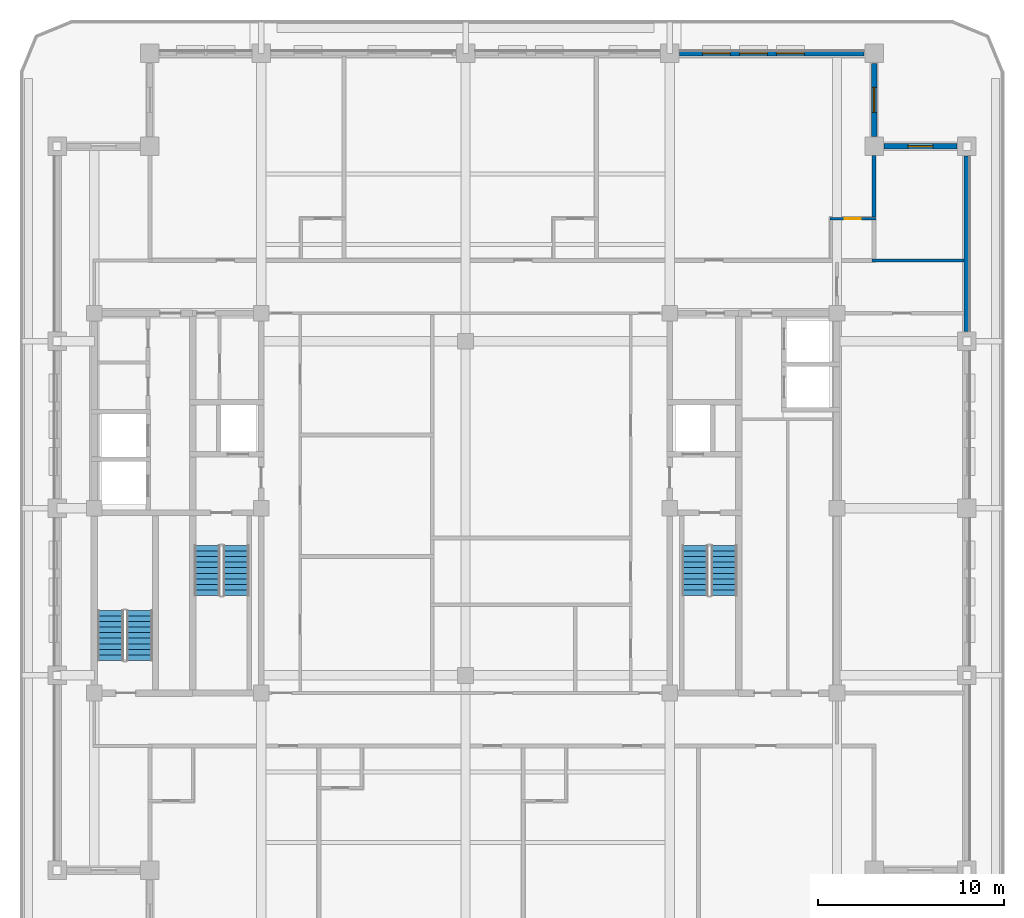
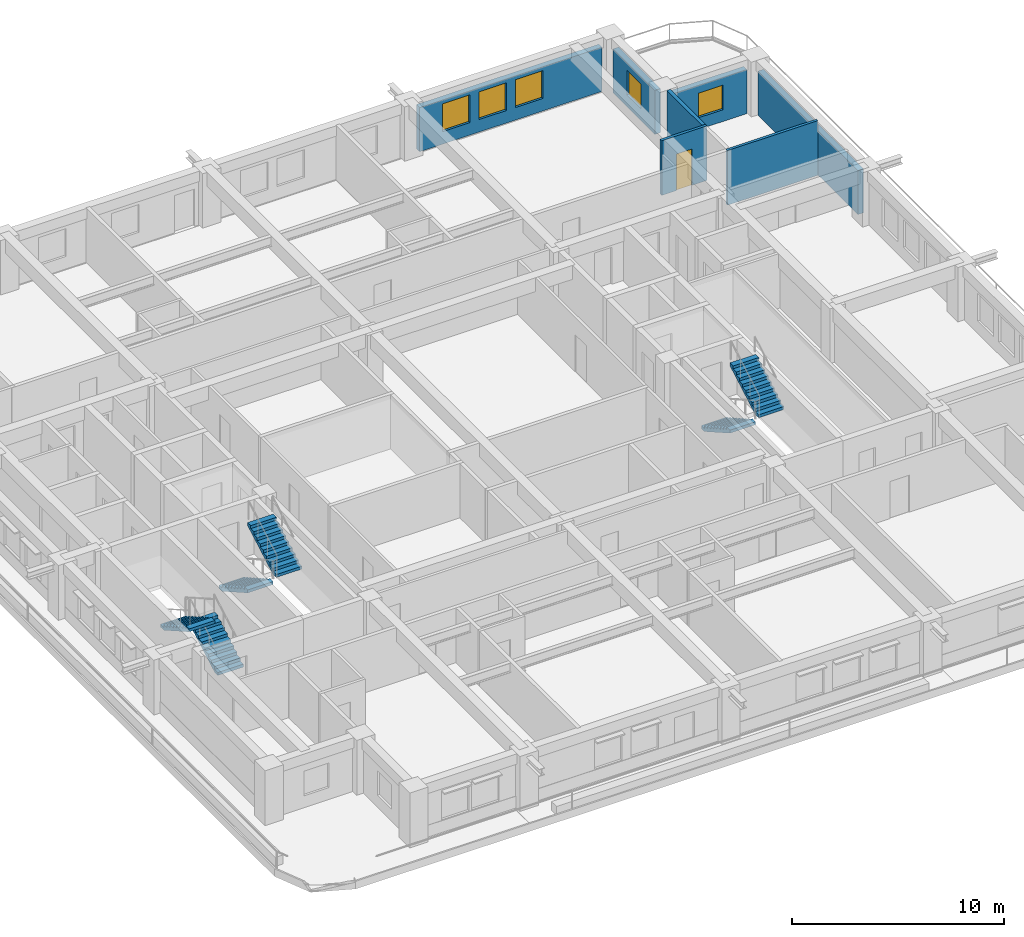
# One storey, part 7 of 13: 7 walls, 6 stair flights, 5 windows, 1 door, 6 openings, 3 elements without a shape of their own.
"""IFC4 building model written with IfcOpenShell, lengths in metres."""

from ifc_helpers import new_model, si_unit, direction, frame, frame_2d, origin, place, context, subcontext, project, spatial, polyline, rectangle, outline, extrude, material, layer, layer_set, type_object, element, fill, aggregate, save


model = new_model("IFC4")

# Units and contexts
model_context = context("Model", 3, precision=1e-05, world=origin(), true_north=direction((0.0, 1.0)))
body_context = subcontext(model_context, "Body", "Model", "MODEL_VIEW")
ifc_project = project(units=[si_unit("LENGTHUNIT", "METRE"), si_unit("AREAUNIT", "SQUARE_METRE"), si_unit("VOLUMEUNIT", "CUBIC_METRE"), si_unit("PLANEANGLEUNIT", "RADIAN"), si_unit("MASSUNIT", "GRAM", prefix="KILO")], contexts=[model_context])

# Site, building, storey
site_placement = place(None, origin())
site = spatial("IfcSite", under=ifc_project, at=site_placement, CompositionType="ELEMENT")
building_placement = place(site_placement, origin())
building = spatial("IfcBuilding", under=site, at=building_placement, Name="Zulmaris Gate Convention Tower", CompositionType="ELEMENT")
storey_placement = place(building_placement, frame((0.0, 0.0, 169.4599609375)))
storey = spatial("IfcBuildingStorey", under=building, at=storey_placement, Name="L43", CompositionType="ELEMENT", Elevation=169.4599609375)

# Wall
ifc_material_1 = material(Name="Gypsum Metal Stud Partition")
ifc_layer_1 = layer(ifc_material_1, 0.14990234375, Name="Gypsum Metal Stud Partition")
ifc_layer_set_1 = layer_set([ifc_layer_1], Name="Gypsum Metal Stud Partition")
wall_type_1 = type_object("IfcWallType", Name="PART-150", PredefinedType="PARTITIONING", material=ifc_layer_set_1)
wall_1_placement = place(storey_placement, frame((21.89990234375, 13.35009765625, 0.0), z_axis=(0.0, 0.0, 1.0), x_axis=(1.0, 0.0, 0.0)))
element("IfcWall", 1, at=wall_1_placement, inside=storey, type_object=wall_type_1, Name="WL-L43-036", PredefinedType="PARTITIONING", context=body_context, shape_type="SweptSolid", body=[
    extrude(rectangle(XDim=4.93505859375, YDim=0.14990234375, at=frame_2d((2.467529296875, 0.0))), origin(), (0.0, 0.0, 1.0), 3.14990234375),
])

# Wall, opening, door
wall_2_placement = place(storey_placement, frame((19.625, 15.60009765625, 0.0), z_axis=(0.0, 0.0, 1.0), x_axis=(1.0, 0.0, 0.0)))
wall_2 = element("IfcWall", 2, at=wall_2_placement, inside=storey, type_object=wall_type_1, Name="WL-L43-039", PredefinedType="PARTITIONING", context=body_context, shape_type="SweptSolid", body=[
    extrude(rectangle(XDim=2.47509765625, YDim=0.14990234375, at=frame_2d((1.237548828125, 0.0))), origin(), (0.0, 0.0, 1.0), 3.14990234375),
])
opening_1_placement = place(wall_2_placement, frame((0.800048828125, 0.0, 0.0)))
opening_1 = element("IfcOpeningElement", 3, at=opening_1_placement, cuts=wall_2, Name="Opening D-17", PredefinedType="OPENING", context=body_context, shape_type="SweptSolid", body=[
    extrude(rectangle(XDim=0.85009765625, YDim=2.10009765625, at=frame_2d((0.425048828125, 1.050048828125))), frame((0.0, 0.0849609375, 0.0), z_axis=(0.0, -1.0, 0.0), x_axis=(1.0, 0.0, 0.0)), (0.0, 0.0, 1.0), 0.169921875),
])
ifc_material_2 = material(Name="Moisture-Resistant Hardwood Timber", Category="wood")
door_type = type_object("IfcDoorType", Name="DR-850", OperationType="NOTDEFINED", PredefinedType="DOOR", material=ifc_material_2)
door_placement = place(opening_1_placement, origin())
door = element("IfcDoor", 4, at=door_placement, inside=storey, type_object=door_type, Name="L43 En-Suite Door 30", OperationType="SINGLE_SWING_LEFT", OverallHeight=2.10009765625, OverallWidth=0.85009765625, PredefinedType="DOOR", context=body_context, shape_type="SweptSolid", body=[
    extrude(rectangle(XDim=0.85009765625, YDim=2.10009765625, at=frame_2d((0.425048828125, 1.050048828125))), frame((0.0, 0.02490234375, 0.0), z_axis=(0.0, -1.0, 0.0), x_axis=(1.0, 0.0, 0.0)), (0.0, 0.0, 1.0), 0.050048828125),
])
fill(opening_1, door)

# Wall
ifc_material_3 = material(Name="Autoclaved Aerated Concrete Block and Plasterboard", Category="concrete")
ifc_layer_2 = layer(ifc_material_3, 0.199951171875, Name="Autoclaved Aerated Concrete Block and Plasterboard")
ifc_layer_set_2 = layer_set([ifc_layer_2], Name="Autoclaved Aerated Concrete Block and Plasterboard")
wall_type_2 = type_object("IfcWallType", Name="PART-200", PredefinedType="PARTITIONING", material=ifc_layer_set_2)
wall_3_placement = place(storey_placement, frame((22.0, 15.677978515625, 0.0), z_axis=(0.0, 0.0, 1.0), x_axis=(0.0, 1.0, 0.0)))
element("IfcWall", 5, at=wall_3_placement, inside=storey, type_object=wall_type_2, Name="WL-L43-112", PredefinedType="PARTITIONING", context=body_context, shape_type="SweptSolid", body=[
    extrude(rectangle(XDim=3.31591796875, YDim=0.199951171875, at=frame_2d((1.657958984375, 0.0))), origin(), (0.0, 0.0, 1.0), 3.14990234375),
])

# Wall, opening, window
ifc_material_4 = material(Name="Precast concrete C40/50", Category="concrete")
ifc_layer_3 = layer(ifc_material_4, 0.300048828125, Name="Precast concrete C40/50")
ifc_layer_set_3 = layer_set([ifc_layer_3], Name="Precast concrete C40/50")
wall_type_3 = type_object("IfcWallType", Name="PRECAST-PIER-300", PredefinedType="STANDARD", material=ifc_layer_set_3)
wall_4_placement = place(storey_placement, frame((26.469970703125, 19.5, 0.0), z_axis=(0.0, 0.0, 1.0), x_axis=(-1.0, 0.0, 0.0)))
wall_4 = element("IfcWall", 6, at=wall_4_placement, inside=storey, type_object=wall_type_3, Name="EW-L43-NOTCH-NE1_0", PredefinedType="STANDARD", context=body_context, shape_type="SweptSolid", body=[
    extrude(rectangle(XDim=3.93994140625, YDim=0.300048828125, at=frame_2d((1.969970703125, 0.0))), origin(), (0.0, 0.0, 1.0), 2.5419921875),
])
opening_2_placement = place(wall_4_placement, frame((1.294921875, 0.0, 0.679931640625)))
opening_2 = element("IfcOpeningElement", 7, at=opening_2_placement, cuts=wall_4, Name="Opening W-10", PredefinedType="OPENING", context=body_context, shape_type="SweptSolid", body=[
    extrude(rectangle(XDim=1.35009765625, YDim=1.419921875, at=frame_2d((0.675048828125, 0.7099609375))), frame((0.0, 0.16015625, 0.0), z_axis=(0.0, -1.0, 0.0), x_axis=(1.0, 0.0, 0.0)), (0.0, 0.0, 1.0), 0.320068359375),
])
ifc_material_5 = material(Name="Low-E Laminated Double Glazing in Aluminium Frame", Category="aluminium")
window_type_1 = type_object("IfcWindowType", Name="WIN-1350x2000", PartitioningType="SINGLE_PANEL", PredefinedType="WINDOW", material=ifc_material_5)
window_1_placement = place(opening_2_placement, origin())
window_1 = element("IfcWindow", 8, at=window_1_placement, inside=storey, type_object=window_type_1, Name="WN-EW-L43-NOTCH-NE1_0", OverallHeight=1.419921875, OverallWidth=1.35009765625, PartitioningType="SINGLE_PANEL", PredefinedType="WINDOW", context=body_context, shape_type="SweptSolid", body=[
    extrude(rectangle(XDim=1.35009765625, YDim=1.419921875, at=frame_2d((0.675048828125, 0.7099609375))), frame((0.0, 0.030029296875, 0.0), z_axis=(0.0, -1.0, 0.0), x_axis=(1.0, 0.0, 0.0)), (0.0, 0.0, 1.0), 0.06005859375),
])
fill(opening_2, window_1)

wall_5_placement = place(storey_placement, frame((22.0, 20.030029296875, 0.0), z_axis=(0.0, 0.0, 1.0), x_axis=(0.0, 1.0, 0.0)))
wall_5 = element("IfcWall", 9, at=wall_5_placement, inside=storey, type_object=wall_type_3, Name="EW-L43-NOTCH-NE2_0", PredefinedType="STANDARD", context=body_context, shape_type="SweptSolid", body=[
    extrude(rectangle(XDim=3.93994140625, YDim=0.300048828125, at=frame_2d((1.969970703125, 0.0))), origin(), (0.0, 0.0, 1.0), 2.5419921875),
])
opening_3_placement = place(wall_5_placement, frame((1.294921875, 0.0, 0.679931640625)))
opening_3 = element("IfcOpeningElement", 10, at=opening_3_placement, cuts=wall_5, Name="Opening W-10", PredefinedType="OPENING", context=body_context, shape_type="SweptSolid", body=[
    extrude(rectangle(XDim=1.35009765625, YDim=1.419921875, at=frame_2d((0.675048828125, 0.7099609375))), frame((0.0, 0.16015625, 0.0), z_axis=(0.0, -1.0, 0.0), x_axis=(1.0, 0.0, 0.0)), (0.0, 0.0, 1.0), 0.320068359375),
])
window_2_placement = place(opening_3_placement, origin())
window_2 = element("IfcWindow", 11, at=window_2_placement, inside=storey, type_object=window_type_1, Name="WN-EW-L43-NOTCH-NE2_0", OverallHeight=1.419921875, OverallWidth=1.35009765625, PartitioningType="SINGLE_PANEL", PredefinedType="WINDOW", context=body_context, shape_type="SweptSolid", body=[
    extrude(rectangle(XDim=1.35009765625, YDim=1.419921875, at=frame_2d((0.675048828125, 0.7099609375))), frame((0.0, 0.030029296875, 0.0), z_axis=(0.0, -1.0, 0.0), x_axis=(1.0, 0.0, 0.0)), (0.0, 0.0, 1.0), 0.06005859375),
])
fill(opening_3, window_2)

# Wall, openings, windows
wall_6_placement = place(storey_placement, frame((21.469970703125, 24.5, 0.0), z_axis=(0.0, 0.0, 1.0), x_axis=(-1.0, 0.0, 0.0)))
wall_6 = element("IfcWall", 12, at=wall_6_placement, inside=storey, type_object=wall_type_3, Name="EW-L43-N-3_0", PredefinedType="STANDARD", context=body_context, shape_type="SweptSolid", body=[
    extrude(rectangle(XDim=9.93994140625, YDim=0.300048828125, at=frame_2d((4.969970703125, 0.0))), origin(), (0.0, 0.0, 1.0), 2.5419921875),
])
opening_4_placement = place(wall_6_placement, frame((3.22607421875, 0.0, 0.719970703125)))
opening_4 = element("IfcOpeningElement", 13, at=opening_4_placement, cuts=wall_6, Name="Opening W-03", PredefinedType="OPENING", context=body_context, shape_type="SweptSolid", body=[
    extrude(rectangle(XDim=1.5, YDim=1.60009765625, at=frame_2d((0.75, 0.800048828125))), frame((0.0, 0.16015625, 0.0), z_axis=(0.0, -1.0, 0.0), x_axis=(1.0, 0.0, 0.0)), (0.0, 0.0, 1.0), 0.320068359375),
])
opening_5_placement = place(wall_6_placement, frame((5.214111328125, 0.0, 0.719970703125)))
opening_5 = element("IfcOpeningElement", 14, at=opening_5_placement, cuts=wall_6, Name="Opening W-03", PredefinedType="OPENING", context=body_context, shape_type="SweptSolid", body=[
    extrude(rectangle(XDim=1.5, YDim=1.60009765625, at=frame_2d((0.75, 0.800048828125))), frame((0.0, 0.16015625, 0.0), z_axis=(0.0, -1.0, 0.0), x_axis=(1.0, 0.0, 0.0)), (0.0, 0.0, 1.0), 0.320068359375),
])
opening_6_placement = place(wall_6_placement, frame((7.201904296875, 0.0, 0.719970703125)))
opening_6 = element("IfcOpeningElement", 15, at=opening_6_placement, cuts=wall_6, Name="Opening W-03", PredefinedType="OPENING", context=body_context, shape_type="SweptSolid", body=[
    extrude(rectangle(XDim=1.5, YDim=1.60009765625, at=frame_2d((0.75, 0.800048828125))), frame((0.0, 0.16015625, 0.0), z_axis=(0.0, -1.0, 0.0), x_axis=(1.0, 0.0, 0.0)), (0.0, 0.0, 1.0), 0.320068359375),
])
window_type_2 = type_object("IfcWindowType", Name="WIN-1500x2100", PartitioningType="SINGLE_PANEL", PredefinedType="WINDOW", material=ifc_material_5)
window_3_placement = place(opening_4_placement, origin())
window_3 = element("IfcWindow", 16, at=window_3_placement, inside=storey, type_object=window_type_2, Name="WN-EW-L43-N-3_0-2", OverallHeight=1.60009765625, OverallWidth=1.5, PartitioningType="SINGLE_PANEL", PredefinedType="WINDOW", context=body_context, shape_type="SweptSolid", body=[
    extrude(rectangle(XDim=1.5, YDim=1.60009765625, at=frame_2d((0.75, 0.800048828125))), frame((0.0, 0.030029296875, 0.0), z_axis=(0.0, -1.0, 0.0), x_axis=(1.0, 0.0, 0.0)), (0.0, 0.0, 1.0), 0.06005859375),
])
fill(opening_4, window_3)
window_4_placement = place(opening_5_placement, origin())
window_4 = element("IfcWindow", 17, at=window_4_placement, inside=storey, type_object=window_type_2, Name="WN-EW-L43-N-3_0-3", OverallHeight=1.60009765625, OverallWidth=1.5, PartitioningType="SINGLE_PANEL", PredefinedType="WINDOW", context=body_context, shape_type="SweptSolid", body=[
    extrude(rectangle(XDim=1.5, YDim=1.60009765625, at=frame_2d((0.75, 0.800048828125))), frame((0.0, 0.030029296875, 0.0), z_axis=(0.0, -1.0, 0.0), x_axis=(1.0, 0.0, 0.0)), (0.0, 0.0, 1.0), 0.06005859375),
])
fill(opening_5, window_4)
window_5_placement = place(opening_6_placement, origin())
window_5 = element("IfcWindow", 18, at=window_5_placement, inside=storey, type_object=window_type_2, Name="WN-EW-L43-N-3_0-4", OverallHeight=1.60009765625, OverallWidth=1.5, PartitioningType="SINGLE_PANEL", PredefinedType="WINDOW", context=body_context, shape_type="SweptSolid", body=[
    extrude(rectangle(XDim=1.5, YDim=1.60009765625, at=frame_2d((0.75, 0.800048828125))), frame((0.0, 0.030029296875, 0.0), z_axis=(0.0, -1.0, 0.0), x_axis=(1.0, 0.0, 0.0)), (0.0, 0.0, 1.0), 0.06005859375),
])
fill(opening_6, window_5)

# Wall
wall_7_placement = place(storey_placement, frame((27.0, 9.530029296875, 0.0), z_axis=(0.0, 0.0, 1.0), x_axis=(0.0, 1.0, 0.0)))
element("IfcWall", 19, at=wall_7_placement, inside=storey, type_object=wall_type_3, Name="EW-L43-E-3_0", PredefinedType="STANDARD", context=body_context, shape_type="SweptSolid", body=[
    extrude(rectangle(XDim=9.43994140625, YDim=0.300048828125, at=frame_2d((4.719970703125, 0.0))), origin(), (0.0, 0.0, 1.0), 2.5419921875),
])

# Stair, stair flights
ifc_material_6 = material(Name="Concrete C45/55", Category="concrete")
stair_type = type_object("IfcStairType", Name="ST-CORE-DOGLEG", PredefinedType="HALF_TURN_STAIR", material=ifc_material_6)
stair_1_placement = place(storey_placement, origin())
stair_1 = element("IfcStair", 20, at=stair_1_placement, inside=storey, type_object=stair_type, Name="L43 Core Exit Stair ST-1", PredefinedType="HALF_TURN_STAIR")
ifc_layer_4 = layer(ifc_material_6, 0.14990234375, Name="Concrete C45/55")
ifc_layer_set_4 = layer_set([ifc_layer_4], Name="Concrete C45/55")
stair_flight_type = type_object("IfcStairFlightType", Name="STF-RC150", PredefinedType="STRAIGHT", material=ifc_layer_set_4)
stair_flight_1_placement = place(storey_placement, frame((-13.919921875, -2.0, 0.0), z_axis=(0.0, 0.0, 1.0), x_axis=(0.0, -1.0, 0.0)))
stair_flight_1 = element("IfcStairFlight", 21, at=stair_flight_1_placement, type_object=stair_flight_type, Name="ST-1 flight 1", NumberOfRisers=10, NumberOfTreads=9, PredefinedType="STRAIGHT", RiserHeight=0.169995, TreadLength=0.3, context=body_context, shape_type="SweptSolid", body=[
    extrude(outline(polyline([(0.0, 0.0), (0.0, 0.169921875), (0.300048828125, 0.169921875), (0.300048828125, 0.340087890625), (0.60009765625, 0.340087890625), (0.60009765625, 0.510009765625), (0.89990234375, 0.510009765625), (0.89990234375, 0.679931640625), (1.199951171875, 0.679931640625), (1.199951171875, 0.849853515625), (1.5, 0.849853515625), (1.5, 1.02001953125), (1.800048828125, 1.02001953125), (1.800048828125, 1.18994140625), (2.10009765625, 1.18994140625), (2.10009765625, 1.35986328125), (2.39990234375, 1.35986328125), (2.39990234375, 1.530029296875), (2.699951171875, 1.530029296875), (2.699951171875, 1.699951171875), (2.699951171875, 1.357666015625), (0.303955078125, 0.0), (0.0, 0.0)])), frame((0.0, 0.699951171875, 0.0), z_axis=(0.0, -1.0, 0.0), x_axis=(1.0, 0.0, 0.0)), (0.0, 0.0, 1.0), 1.39990234375),
])
stair_flight_2_placement = place(storey_placement, frame((-12.360107421875, -4.699951171875, 1.699951171875), z_axis=(0.0, 0.0, 1.0), x_axis=(0.0, 1.0, 0.0)))
stair_flight_2 = element("IfcStairFlight", 22, at=stair_flight_2_placement, type_object=stair_flight_type, Name="ST-1 flight 2", NumberOfRisers=10, NumberOfTreads=9, PredefinedType="STRAIGHT", RiserHeight=0.169995, TreadLength=0.3, context=body_context, shape_type="SweptSolid", body=[
    extrude(outline(polyline([(0.0, 0.0), (0.0, 0.169921875), (0.300048828125, 0.169921875), (0.300048828125, 0.340087890625), (0.60009765625, 0.340087890625), (0.60009765625, 0.510009765625), (0.89990234375, 0.510009765625), (0.89990234375, 0.679931640625), (1.199951171875, 0.679931640625), (1.199951171875, 0.849853515625), (1.5, 0.849853515625), (1.5, 1.02001953125), (1.800048828125, 1.02001953125), (1.800048828125, 1.18994140625), (2.10009765625, 1.18994140625), (2.10009765625, 1.35986328125), (2.39990234375, 1.35986328125), (2.39990234375, 1.530029296875), (2.699951171875, 1.530029296875), (2.699951171875, 1.699951171875), (2.699951171875, 1.357666015625), (0.303955078125, 0.0), (0.0, 0.0)])), frame((0.0, 0.699951171875, 0.0), z_axis=(0.0, -1.0, 0.0), x_axis=(1.0, 0.0, 0.0)), (0.0, 0.0, 1.0), 1.39990234375),
])
aggregate(stair_1, [stair_flight_1, stair_flight_2])

stair_2_placement = place(storey_placement, origin())
stair_2 = element("IfcStair", 23, at=stair_2_placement, inside=storey, type_object=stair_type, Name="L43 Core Exit Stair ST-2", PredefinedType="HALF_TURN_STAIR")
stair_flight_3_placement = place(storey_placement, frame((12.360107421875, -2.0, 0.0), z_axis=(0.0, 0.0, 1.0), x_axis=(0.0, -1.0, 0.0)))
stair_flight_3 = element("IfcStairFlight", 24, at=stair_flight_3_placement, type_object=stair_flight_type, Name="ST-2 flight 1", NumberOfRisers=10, NumberOfTreads=9, PredefinedType="STRAIGHT", RiserHeight=0.169995, TreadLength=0.3, context=body_context, shape_type="SweptSolid", body=[
    extrude(outline(polyline([(0.0, 0.0), (0.0, 0.169921875), (0.300048828125, 0.169921875), (0.300048828125, 0.340087890625), (0.60009765625, 0.340087890625), (0.60009765625, 0.510009765625), (0.89990234375, 0.510009765625), (0.89990234375, 0.679931640625), (1.199951171875, 0.679931640625), (1.199951171875, 0.849853515625), (1.5, 0.849853515625), (1.5, 1.02001953125), (1.800048828125, 1.02001953125), (1.800048828125, 1.18994140625), (2.10009765625, 1.18994140625), (2.10009765625, 1.35986328125), (2.39990234375, 1.35986328125), (2.39990234375, 1.530029296875), (2.699951171875, 1.530029296875), (2.699951171875, 1.699951171875), (2.699951171875, 1.357666015625), (0.303955078125, 0.0), (0.0, 0.0)])), frame((0.0, 0.699951171875, 0.0), z_axis=(0.0, -1.0, 0.0), x_axis=(1.0, 0.0, 0.0)), (0.0, 0.0, 1.0), 1.39990234375),
])
stair_flight_4_placement = place(storey_placement, frame((13.919921875, -4.699951171875, 1.699951171875), z_axis=(0.0, 0.0, 1.0), x_axis=(0.0, 1.0, 0.0)))
stair_flight_4 = element("IfcStairFlight", 25, at=stair_flight_4_placement, type_object=stair_flight_type, Name="ST-2 flight 2", NumberOfRisers=10, NumberOfTreads=9, PredefinedType="STRAIGHT", RiserHeight=0.169995, TreadLength=0.3, context=body_context, shape_type="SweptSolid", body=[
    extrude(outline(polyline([(0.0, 0.0), (0.0, 0.169921875), (0.300048828125, 0.169921875), (0.300048828125, 0.340087890625), (0.60009765625, 0.340087890625), (0.60009765625, 0.510009765625), (0.89990234375, 0.510009765625), (0.89990234375, 0.679931640625), (1.199951171875, 0.679931640625), (1.199951171875, 0.849853515625), (1.5, 0.849853515625), (1.5, 1.02001953125), (1.800048828125, 1.02001953125), (1.800048828125, 1.18994140625), (2.10009765625, 1.18994140625), (2.10009765625, 1.35986328125), (2.39990234375, 1.35986328125), (2.39990234375, 1.530029296875), (2.699951171875, 1.530029296875), (2.699951171875, 1.699951171875), (2.699951171875, 1.357666015625), (0.303955078125, 0.0), (0.0, 0.0)])), frame((0.0, 0.699951171875, 0.0), z_axis=(0.0, -1.0, 0.0), x_axis=(1.0, 0.0, 0.0)), (0.0, 0.0, 1.0), 1.39990234375),
])
aggregate(stair_2, [stair_flight_3, stair_flight_4])

stair_3_placement = place(storey_placement, origin())
stair_3 = element("IfcStair", 26, at=stair_3_placement, inside=storey, type_object=stair_type, Name="L43 Core Exit Stair ST-3", PredefinedType="HALF_TURN_STAIR")
stair_flight_5_placement = place(storey_placement, frame((-17.56005859375, -8.199951171875, 0.0), z_axis=(0.0, 0.0, 1.0), x_axis=(0.0, 1.0, 0.0)))
stair_flight_5 = element("IfcStairFlight", 27, at=stair_flight_5_placement, type_object=stair_flight_type, Name="ST-3 flight 1", NumberOfRisers=10, NumberOfTreads=9, PredefinedType="STRAIGHT", RiserHeight=0.169995, TreadLength=0.3, context=body_context, shape_type="SweptSolid", body=[
    extrude(outline(polyline([(0.0, 0.0), (0.0, 0.169921875), (0.300048828125, 0.169921875), (0.300048828125, 0.340087890625), (0.60009765625, 0.340087890625), (0.60009765625, 0.510009765625), (0.89990234375, 0.510009765625), (0.89990234375, 0.679931640625), (1.199951171875, 0.679931640625), (1.199951171875, 0.849853515625), (1.5, 0.849853515625), (1.5, 1.02001953125), (1.800048828125, 1.02001953125), (1.800048828125, 1.18994140625), (2.10009765625, 1.18994140625), (2.10009765625, 1.35986328125), (2.39990234375, 1.35986328125), (2.39990234375, 1.530029296875), (2.699951171875, 1.530029296875), (2.699951171875, 1.699951171875), (2.699951171875, 1.357666015625), (0.303955078125, 0.0), (0.0, 0.0)])), frame((0.0, 0.699951171875, 0.0), z_axis=(0.0, -1.0, 0.0), x_axis=(1.0, 0.0, 0.0)), (0.0, 0.0, 1.0), 1.39990234375),
])
stair_flight_6_placement = place(storey_placement, frame((-19.1201171875, -5.5, 1.699951171875), z_axis=(0.0, 0.0, 1.0), x_axis=(0.0, -1.0, 0.0)))
stair_flight_6 = element("IfcStairFlight", 28, at=stair_flight_6_placement, type_object=stair_flight_type, Name="ST-3 flight 2", NumberOfRisers=10, NumberOfTreads=9, PredefinedType="STRAIGHT", RiserHeight=0.169995, TreadLength=0.3, context=body_context, shape_type="SweptSolid", body=[
    extrude(outline(polyline([(0.0, 0.0), (0.0, 0.169921875), (0.300048828125, 0.169921875), (0.300048828125, 0.340087890625), (0.60009765625, 0.340087890625), (0.60009765625, 0.510009765625), (0.89990234375, 0.510009765625), (0.89990234375, 0.679931640625), (1.199951171875, 0.679931640625), (1.199951171875, 0.849853515625), (1.5, 0.849853515625), (1.5, 1.02001953125), (1.800048828125, 1.02001953125), (1.800048828125, 1.18994140625), (2.10009765625, 1.18994140625), (2.10009765625, 1.35986328125), (2.39990234375, 1.35986328125), (2.39990234375, 1.530029296875), (2.699951171875, 1.530029296875), (2.699951171875, 1.699951171875), (2.699951171875, 1.357666015625), (0.303955078125, 0.0), (0.0, 0.0)])), frame((0.0, 0.699951171875, 0.0), z_axis=(0.0, -1.0, 0.0), x_axis=(1.0, 0.0, 0.0)), (0.0, 0.0, 1.0), 1.39990234375),
])
aggregate(stair_3, [stair_flight_5, stair_flight_6])

save(model, "model.ifc")
